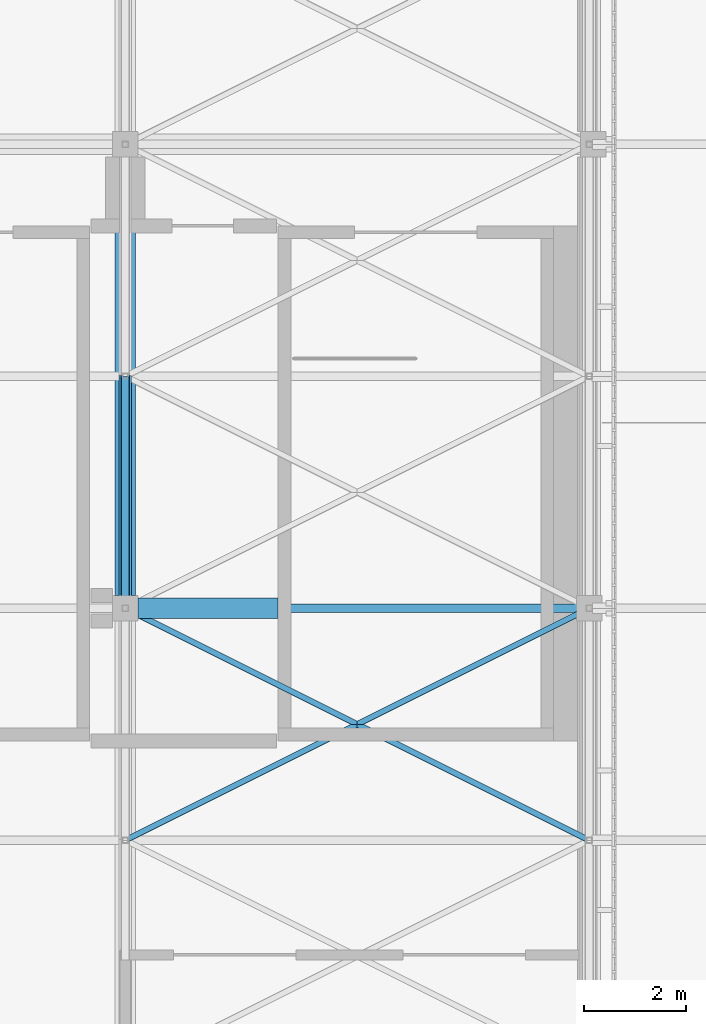
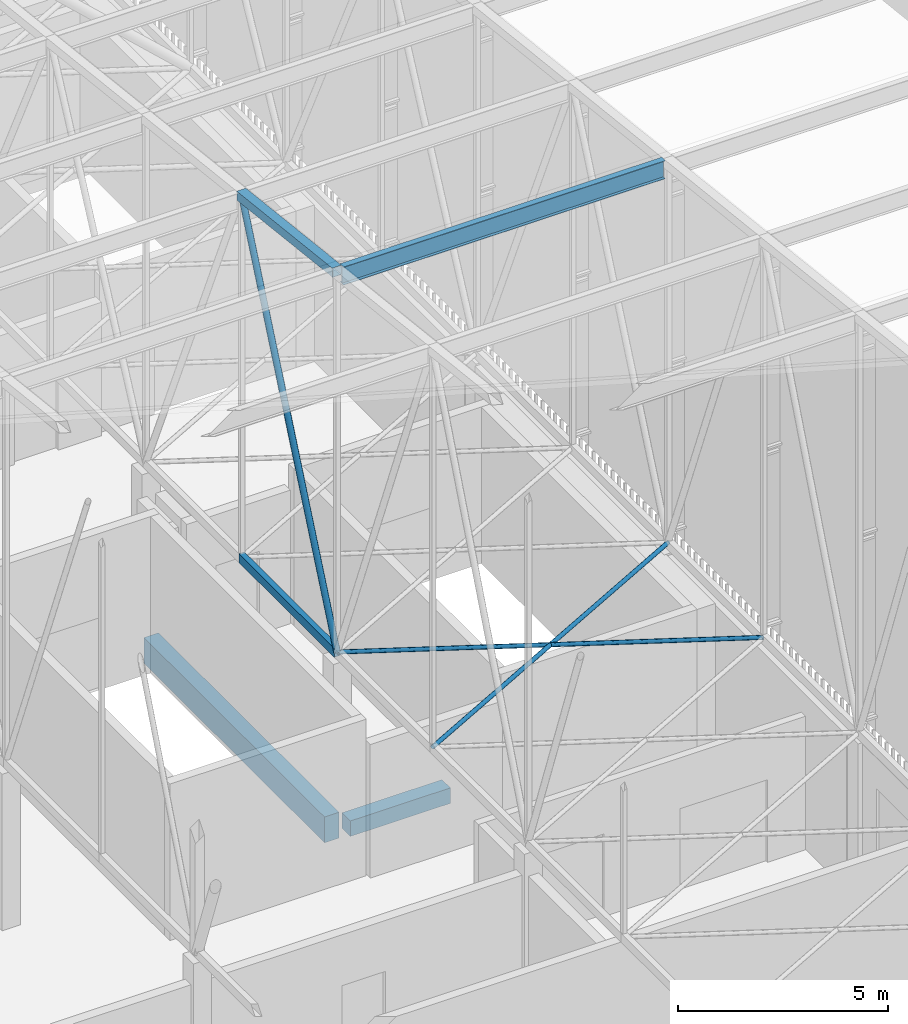
# One storey, part 388 of 500: 6 members, 2 beams.
"""IFC4 building model written with IfcOpenShell, lengths in metres."""

from ifc_helpers import new_model, si_unit, direction, frame, origin, origin_2d, place, context, subcontext, project, spatial, rectangle, hollow_rectangle, hollow_circle, i_section, extrude, material, material_profile, profile_set, type_object, element, save


model = new_model("IFC4")

# Units and contexts
model_context = context("Model", 3, precision=1e-05, world=origin(), true_north=direction((0.0, 1.0)))
body_context = subcontext(model_context, "Body", "Model", "MODEL_VIEW")
ifc_project = project(units=[si_unit("LENGTHUNIT", "METRE"), si_unit("AREAUNIT", "SQUARE_METRE"), si_unit("VOLUMEUNIT", "CUBIC_METRE"), si_unit("PLANEANGLEUNIT", "RADIAN"), si_unit("MASSUNIT", "GRAM", prefix="KILO")], contexts=[model_context])

# Site, building, storey
site_placement = place(None, origin())
site = spatial("IfcSite", under=ifc_project, at=site_placement, CompositionType="ELEMENT")
building_placement = place(site_placement, origin())
building = spatial("IfcBuilding", under=site, at=building_placement, Name="Shirokan Park Arena", CompositionType="ELEMENT")
storey_placement = place(building_placement, frame((0.0, 0.0, 29.1201171875)))
storey = spatial("IfcBuildingStorey", under=building, at=storey_placement, Name="L06", CompositionType="ELEMENT", Elevation=29.1201171875)

# Members
ifc_material_1 = material(Name="Steel ASTM A500 Grade C", Category="steel")
ifc_material_profile_1 = material_profile(ifc_material_1, hollow_rectangle(XDim=0.152099609375, YDim=0.25390625, WallThickness=0.009521484375, at=origin_2d()), Name="HSS254X152.4X9.5")
ifc_profile_set_1 = profile_set([ifc_material_profile_1], Name="Steel ASTM A500 Grade C")
member_type_1 = type_object("IfcMemberType", Name="Bottom chord HSS254X152.4X9.5", PredefinedType="CHORD", material=ifc_profile_set_1)
member_1_placement = place(storey_placement, frame((136.5, 81.89990234375, 4.677001953125), z_axis=(0.0, 1.0, 0.0), x_axis=(-1.0, 0.0, 0.0)))
element("IfcMember", 1, at=member_1_placement, inside=storey, type_object=member_type_1, Name="Truss T16 bottom chord 21", PredefinedType="CHORD", context=body_context, shape_type="SweptSolid", body=[
    extrude(hollow_rectangle(XDim=0.152099609375, YDim=0.25390625, WallThickness=0.009521484375, at=origin_2d()), origin(), (0.0, 0.0, 1.0), 4.550048828125),
])
ifc_material_profile_2 = material_profile(ifc_material_1, hollow_circle(Radius=0.056884765625, WallThickness=0.006103515625, at=origin_2d()), Name="HSS114.3X6")
ifc_profile_set_2 = profile_set([ifc_material_profile_2], Name="Steel ASTM A500 Grade C")
member_type_2 = type_object("IfcMemberType", Name="Plan bracing HSS114.3X6", PredefinedType="BRACE", material=ifc_profile_set_2)
for number, where, z_axis, x_axis, name in (
    (2, (136.5, 77.35009765625, 4.677001953125), (0.8944367893, 0.447194398385, 0.0), (-0.447194398385, 0.8944367893, 0.0), "Plan bracing bay 16 panel 20 A"),
    (3, (145.60009765625, 77.35009765625, 4.677001953125), (-0.8944367893, 0.447194398385, 0.0), (-0.447194398385, -0.8944367893, 0.0), "Plan bracing bay 16 panel 20 B"),
):
    element("IfcMember", number, at=place(storey_placement, frame(where, z_axis=z_axis, x_axis=x_axis)), inside=storey, type_object=member_type_2, Name=name, PredefinedType="BRACE", context=body_context, shape_type="SweptSolid", body=[
        extrude(hollow_circle(Radius=0.056884765625, WallThickness=0.006103515625, at=origin_2d()), origin(), (0.0, 0.0, 1.0), 10.174072265625),
    ])
ifc_material_2 = material(Name="Steel ASTM A992", Category="steel")
ifc_material_profile_3 = material_profile(ifc_material_2, i_section(OverallWidth=0.166015625, OverallDepth=0.528076171875, WebThickness=0.009765625, FlangeThickness=0.013671875, at=origin_2d()), Name="W530X74")
ifc_profile_set_3 = profile_set([ifc_material_profile_3], Name="Steel ASTM A992")
member_type_3 = type_object("IfcMemberType", Name="Purlin W530X74", PredefinedType="PURLIN", material=ifc_profile_set_3)
member_2_placement = place(storey_placement, frame((136.626953125, 81.89990234375, 15.60595703125), z_axis=(1.0, 0.0, 0.0), x_axis=(0.0, 1.0, 0.0)))
element("IfcMember", 4, at=member_2_placement, inside=storey, type_object=member_type_3, Name="Purlin 21 bay 16", PredefinedType="PURLIN", context=body_context, shape_type="SweptSolid", body=[
    extrude(i_section(OverallWidth=0.166015625, OverallDepth=0.528076171875, WebThickness=0.009765625, FlangeThickness=0.013671875, at=origin_2d()), origin(), (0.0, 0.0, 1.0), 8.845947265625),
])

# Beams
ifc_material_3 = material(Name="Concrete C35", Category="concrete")
ifc_material_profile_4 = material_profile(ifc_material_3, rectangle(XDim=0.39990234375, YDim=0.75, at=origin_2d()), Name="400x750")
ifc_profile_set_4 = profile_set([ifc_material_profile_4], Name="Concrete C35")
beam_type_1 = type_object("IfcBeamType", Name="RC girder 400x750", PredefinedType="BEAM", material=ifc_profile_set_4)
beam_1_placement = place(storey_placement, frame((136.5, 82.150146484375, -0.5751953125), z_axis=(0.0, 1.0, 0.0), x_axis=(-1.0, 0.0, 0.0)))
element("IfcBeam", 5, at=beam_1_placement, inside=storey, type_object=beam_type_1, Name="Girder 16K-16L L06", PredefinedType="BEAM", context=body_context, shape_type="SweptSolid", body=[
    extrude(rectangle(XDim=0.39990234375, YDim=0.75, at=origin_2d()), origin(), (0.0, 0.0, 1.0), 8.599853515625),
])
ifc_material_profile_5 = material_profile(ifc_material_3, rectangle(XDim=0.39990234375, YDim=0.449951171875, at=origin_2d()), Name="400x450")
ifc_profile_set_5 = profile_set([ifc_material_profile_5], Name="Concrete C35")
beam_type_2 = type_object("IfcBeamType", Name="RC trimmer 400x450", PredefinedType="BEAM", material=ifc_profile_set_5)
beam_2_placement = place(storey_placement, frame((136.75, 81.89990234375, -0.425048828125), z_axis=(1.0, 0.0, 0.0), x_axis=(0.0, 1.0, 0.0)))
element("IfcBeam", 6, at=beam_2_placement, inside=storey, type_object=beam_type_2, Name="Girder 16K-17K L06", PredefinedType="BEAM", context=body_context, shape_type="SweptSolid", body=[
    extrude(rectangle(XDim=0.39990234375, YDim=0.449951171875, at=origin_2d()), origin(), (0.0, 0.0, 1.0), 2.75),
])

# Members
ifc_material_profile_6 = material_profile(ifc_material_1, hollow_rectangle(XDim=0.25390625, YDim=0.25390625, WallThickness=0.009521484375, at=origin_2d()), Name="HSS254X254X9.5")
ifc_profile_set_6 = profile_set([ifc_material_profile_6], Name="Steel ASTM A500 Grade C")
member_type_4 = type_object("IfcMemberType", Name="Top chord HSS254X254X9.5", PredefinedType="CHORD", material=ifc_profile_set_6)
member_3_placement = place(storey_placement, frame((136.5, 81.89990234375, 15.742919921875), z_axis=(0.0, 0.993532328996, -0.113549598152), x_axis=(-1.0, 0.0, 0.0)))
element("IfcMember", 7, at=member_3_placement, inside=storey, type_object=member_type_4, Name="Truss T16 top chord 21", PredefinedType="CHORD", context=body_context, shape_type="SweptSolid", body=[
    extrude(hollow_rectangle(XDim=0.25390625, YDim=0.25390625, WallThickness=0.009521484375, at=origin_2d()), origin(), (0.0, 0.0, 1.0), 4.57958984375),
])
ifc_material_profile_7 = material_profile(ifc_material_1, hollow_circle(Radius=0.083984375, WallThickness=0.009521484375, at=origin_2d()), Name="HSS168.3X9.5")
ifc_profile_set_7 = profile_set([ifc_material_profile_7], Name="Steel ASTM A500 Grade C")
member_type_5 = type_object("IfcMemberType", Name="Truss diagonal HSS168.3X9.5", PredefinedType="BRACE", material=ifc_profile_set_7)
member_4_placement = place(storey_placement, frame((136.5, 81.89990234375, 4.677001953125), z_axis=(0.0, 0.396152605513, 0.918184683572), x_axis=(-1.0, 0.0, 0.0)))
element("IfcMember", 8, at=member_4_placement, inside=storey, type_object=member_type_5, Name="Truss T16 diagonal 21", PredefinedType="BRACE", context=body_context, shape_type="SweptSolid", body=[
    extrude(hollow_circle(Radius=0.083984375, WallThickness=0.009521484375, at=origin_2d()), origin(), (0.0, 0.0, 1.0), 11.485595703125),
])

save(model, "model.ifc")
